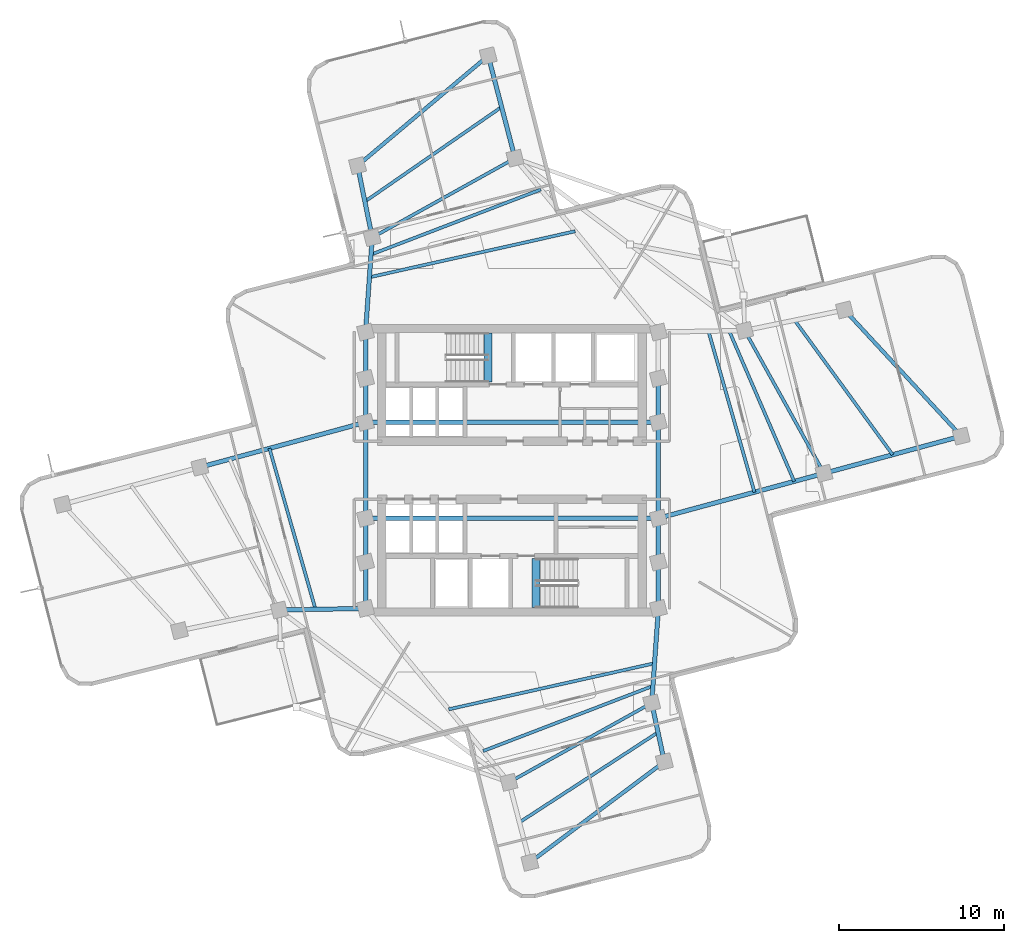
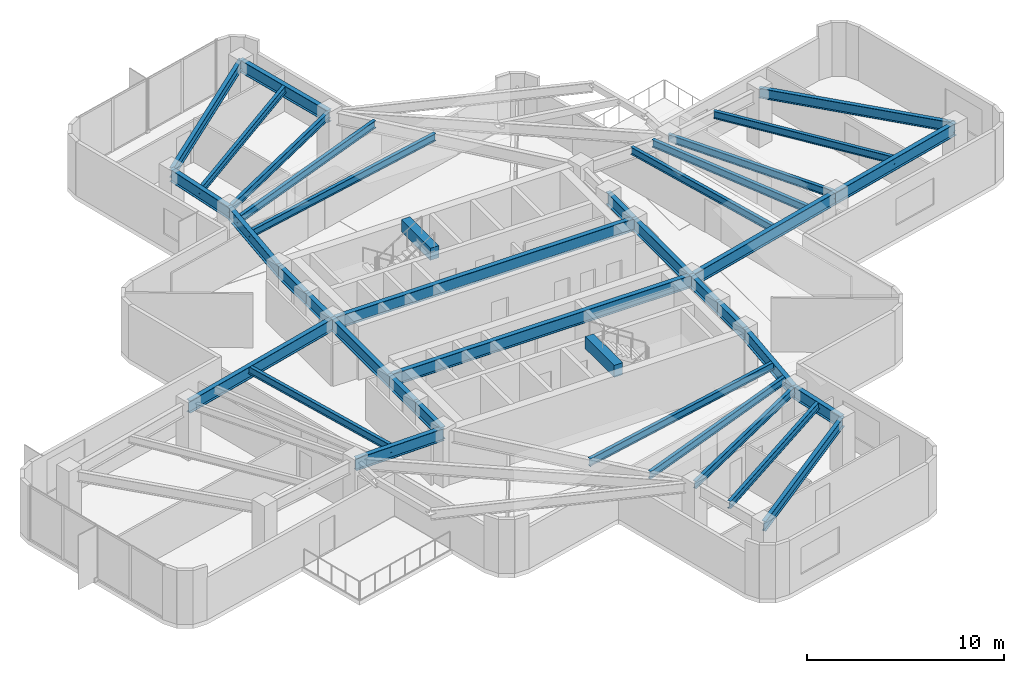
# One storey, part 3 of 11: 38 beams.
"""IFC4 building model written with IfcOpenShell, lengths in metres."""

from ifc_helpers import new_model, si_unit, direction, frame, origin, origin_2d, place, context, subcontext, project, spatial, rectangle, i_section, extrude, material, material_profile, profile_set, type_object, element, save


model = new_model("IFC4")

# Units and contexts
model_context = context("Model", 3, precision=1e-05, world=origin(), true_north=direction((0.0, 1.0)))
body_context = subcontext(model_context, "Body", "Model", "MODEL_VIEW")
ifc_project = project(units=[si_unit("LENGTHUNIT", "METRE"), si_unit("AREAUNIT", "SQUARE_METRE"), si_unit("VOLUMEUNIT", "CUBIC_METRE"), si_unit("PLANEANGLEUNIT", "RADIAN"), si_unit("MASSUNIT", "GRAM", prefix="KILO")], contexts=[model_context])

# Site, building, storey
site_placement = place(None, origin())
site = spatial("IfcSite", under=ifc_project, at=site_placement, CompositionType="ELEMENT")
building_placement = place(site_placement, origin())
building = spatial("IfcBuilding", under=site, at=building_placement, Name="Solmarez Civic Tower", CompositionType="ELEMENT")
storey_placement = place(building_placement, frame((0.0, 0.0, 127.080078125)))
storey = spatial("IfcBuildingStorey", under=building, at=storey_placement, Name="L33", CompositionType="ELEMENT", Elevation=127.080078125)

# Beams
ifc_material_1 = material(Name="Steel S355", Category="steel")
ifc_material_profile_1 = material_profile(ifc_material_1, i_section(OverallWidth=0.19189453125, OverallDepth=0.462890625, WebThickness=0.010498046875, FlangeThickness=0.017578125, at=origin_2d()), Name="W18X60")
ifc_profile_set_1 = profile_set([ifc_material_profile_1], Name="Steel S355")
beam_type_1 = type_object("IfcBeamType", Name="BM-JS-W18X60", PredefinedType="JOIST", material=ifc_profile_set_1)
beam_1_placement = place(storey_placement, frame((18.860107421875, -0.18310546875, 3.10791015625), z_axis=(-0.485852902718, 0.874040592261, 0.0), x_axis=(-0.874040592261, -0.485852902718, 0.0)))
element("IfcBeam", 1, at=beam_1_placement, inside=storey, type_object=beam_type_1, Name="L33 Secondary Floor Joist BM-L33-EA-T1", PredefinedType="JOIST", context=body_context, shape_type="SweptSolid", body=[
    extrude(i_section(OverallWidth=0.19189453125, OverallDepth=0.462890625, WebThickness=0.010498046875, FlangeThickness=0.017578125, at=origin_2d()), origin(), (0.0, 0.0, 1.0), 9.87158203125),
])
beam_2_placement = place(storey_placement, frame((23.006103515625, 0.94091796875, 3.10791015625), z_axis=(-0.589058914091, 0.808090091345, 0.0), x_axis=(-0.808090091345, -0.589058914091, 0.0)))
element("IfcBeam", 2, at=beam_2_placement, inside=storey, type_object=beam_type_1, Name="L33 Secondary Floor Joist JS-L33-EA-M2", PredefinedType="JOIST", context=body_context, shape_type="SweptSolid", body=[
    extrude(i_section(OverallWidth=0.19189453125, OverallDepth=0.462890625, WebThickness=0.010498046875, FlangeThickness=0.017578125, at=origin_2d()), origin(), (0.0, 0.0, 1.0), 10.05859375),
])
beam_3_placement = place(storey_placement, frame((14.656005859375, -1.323974609375, 3.10791015625), z_axis=(-0.27492825036, 0.961464745664, 0.0), x_axis=(-0.961464745664, -0.27492825036, 0.0)))
element("IfcBeam", 3, at=beam_3_placement, inside=storey, type_object=beam_type_1, Name="L33 Secondary Floor Joist JS-L33-EA-M11", PredefinedType="JOIST", context=body_context, shape_type="SweptSolid", body=[
    extrude(i_section(OverallWidth=0.19189453125, OverallDepth=0.462890625, WebThickness=0.010498046875, FlangeThickness=0.017578125, at=origin_2d()), origin(), (0.0, 0.0, 1.0), 10.118896484375),
])
beam_4_placement = place(storey_placement, frame((17.05810546875, -0.672119140625, 3.10791015625), z_axis=(-0.396735074316, 0.917933157048, 0.0), x_axis=(-0.917933157048, -0.396735074316, 0.0)))
element("IfcBeam", 4, at=beam_4_placement, inside=storey, type_object=beam_type_1, Name="L33 Secondary Floor Joist JS-L33-EA-M12", PredefinedType="JOIST", context=body_context, shape_type="SweptSolid", body=[
    extrude(i_section(OverallWidth=0.19189453125, OverallDepth=0.462890625, WebThickness=0.010498046875, FlangeThickness=0.017578125, at=origin_2d()), origin(), (0.0, 0.0, 1.0), 9.91357421875),
])
beam_5_placement = place(storey_placement, frame((0.18310546875, 18.860107421875, 3.10791015625), z_axis=(-0.874040592261, -0.485852902718, 0.0), x_axis=(0.485852902718, -0.874040592261, 0.0)))
element("IfcBeam", 5, at=beam_5_placement, inside=storey, type_object=beam_type_1, Name="L33 Secondary Floor Joist BM-L33-NA-T1", PredefinedType="JOIST", context=body_context, shape_type="SweptSolid", body=[
    extrude(i_section(OverallWidth=0.19189453125, OverallDepth=0.462890625, WebThickness=0.010498046875, FlangeThickness=0.017578125, at=origin_2d()), origin(), (0.0, 0.0, 1.0), 9.87158203125),
])
beam_6_placement = place(storey_placement, frame((-0.626953125, 21.9560546875, 3.10791015625), z_axis=(-0.822185194468, -0.56922008573, 0.0), x_axis=(0.56922008573, -0.822185194468, 0.0)))
element("IfcBeam", 6, at=beam_6_placement, inside=storey, type_object=beam_type_1, Name="L33 Secondary Floor Joist JS-L33-NA-M2", PredefinedType="JOIST", context=body_context, shape_type="SweptSolid", body=[
    extrude(i_section(OverallWidth=0.19189453125, OverallDepth=0.462890625, WebThickness=0.010498046875, FlangeThickness=0.017578125, at=origin_2d()), origin(), (0.0, 0.0, 1.0), 10.048828125),
])
beam_7_placement = place(storey_placement, frame((3.822998046875, 14.446044921875, 3.10791015625), z_axis=(-0.975887310906, -0.218274955988, 0.0), x_axis=(0.218274955988, -0.975887310906, 0.0)))
element("IfcBeam", 7, at=beam_7_placement, inside=storey, type_object=beam_type_1, Name="L33 Secondary Floor Joist JS-L33-NA-M11", PredefinedType="JOIST", context=body_context, shape_type="SweptSolid", body=[
    extrude(i_section(OverallWidth=0.19189453125, OverallDepth=0.462890625, WebThickness=0.010498046875, FlangeThickness=0.017578125, at=origin_2d()), origin(), (0.0, 0.0, 1.0), 12.745361328125),
])
beam_8_placement = place(storey_placement, frame((1.742919921875, 16.968017578125, 3.10791015625), z_axis=(-0.933754408709, -0.357914381125, 0.0), x_axis=(0.357914381125, -0.933754408709, 0.0)))
element("IfcBeam", 8, at=beam_8_placement, inside=storey, type_object=beam_type_1, Name="L33 Secondary Floor Joist JS-L33-NA-M12", PredefinedType="JOIST", context=body_context, shape_type="SweptSolid", body=[
    extrude(i_section(OverallWidth=0.19189453125, OverallDepth=0.462890625, WebThickness=0.010498046875, FlangeThickness=0.017578125, at=origin_2d()), origin(), (0.0, 0.0, 1.0), 10.989013671875),
])
beam_9_placement = place(storey_placement, frame((-14.656005859375, 1.323974609375, 3.10791015625), z_axis=(0.27492825036, -0.961464745664, 0.0), x_axis=(0.961464745664, 0.27492825036, 0.0)))
element("IfcBeam", 9, at=beam_9_placement, inside=storey, type_object=beam_type_1, Name="L33 Secondary Floor Joist JS-L33-WA-M11", PredefinedType="JOIST", context=body_context, shape_type="SweptSolid", body=[
    extrude(i_section(OverallWidth=0.19189453125, OverallDepth=0.462890625, WebThickness=0.010498046875, FlangeThickness=0.017578125, at=origin_2d()), origin(), (0.0, 0.0, 1.0), 10.118896484375),
])
beam_10_placement = place(storey_placement, frame((-0.18310546875, -18.860107421875, 3.10791015625), z_axis=(0.874040592261, 0.485852902718, 0.0), x_axis=(-0.485852902718, 0.874040592261, 0.0)))
element("IfcBeam", 10, at=beam_10_placement, inside=storey, type_object=beam_type_1, Name="L33 Secondary Floor Joist BM-L33-SA-T1", PredefinedType="JOIST", context=body_context, shape_type="SweptSolid", body=[
    extrude(i_section(OverallWidth=0.19189453125, OverallDepth=0.462890625, WebThickness=0.010498046875, FlangeThickness=0.017578125, at=origin_2d()), origin(), (0.0, 0.0, 1.0), 9.87158203125),
])
beam_11_placement = place(storey_placement, frame((0.449951171875, -21.279052734375, 3.10791015625), z_axis=(0.83864684805, 0.54467555871, 0.0), x_axis=(-0.54467555871, 0.83864684805, 0.0)))
element("IfcBeam", 11, at=beam_11_placement, inside=storey, type_object=beam_type_1, Name="L33 Secondary Floor Joist JS-L33-SA-M2", PredefinedType="JOIST", context=body_context, shape_type="SweptSolid", body=[
    extrude(i_section(OverallWidth=0.19189453125, OverallDepth=0.462890625, WebThickness=0.010498046875, FlangeThickness=0.017578125, at=origin_2d()), origin(), (0.0, 0.0, 1.0), 9.987548828125),
])
beam_12_placement = place(storey_placement, frame((-3.822998046875, -14.446044921875, 3.10791015625), z_axis=(0.975887310906, 0.218274955988, 0.0), x_axis=(-0.218274955988, 0.975887310906, 0.0)))
element("IfcBeam", 12, at=beam_12_placement, inside=storey, type_object=beam_type_1, Name="L33 Secondary Floor Joist JS-L33-SA-M11", PredefinedType="JOIST", context=body_context, shape_type="SweptSolid", body=[
    extrude(i_section(OverallWidth=0.19189453125, OverallDepth=0.462890625, WebThickness=0.010498046875, FlangeThickness=0.017578125, at=origin_2d()), origin(), (0.0, 0.0, 1.0), 12.745361328125),
])
beam_13_placement = place(storey_placement, frame((-1.742919921875, -16.968017578125, 3.10791015625), z_axis=(0.933754408709, 0.357914381125, 0.0), x_axis=(-0.357914381125, 0.933754408709, 0.0)))
element("IfcBeam", 13, at=beam_13_placement, inside=storey, type_object=beam_type_1, Name="L33 Secondary Floor Joist JS-L33-SA-M12", PredefinedType="JOIST", context=body_context, shape_type="SweptSolid", body=[
    extrude(i_section(OverallWidth=0.19189453125, OverallDepth=0.462890625, WebThickness=0.010498046875, FlangeThickness=0.017578125, at=origin_2d()), origin(), (0.0, 0.0, 1.0), 10.989013671875),
])
ifc_material_2 = material(Name="Concrete C50/60", Category="concrete")
ifc_material_profile_2 = material_profile(ifc_material_2, rectangle(XDim=0.5, YDim=0.75, at=origin_2d()), Name="RC500X750")
ifc_profile_set_2 = profile_set([ifc_material_profile_2], Name="Concrete C50/60")
beam_type_2 = type_object("IfcBeamType", Name="BM-PR-RC500X750", PredefinedType="BEAM", material=ifc_profile_set_2)
for number, where, z_axis, x_axis, name in (
    (14, (-1.449951171875, 5.340087890625, 3.23291015625), (0.0, 1.0, 0.0), (-1.0, 0.0, 0.0), "L33 North Stair Threshold Beam"),
    (15, (1.449951171875, -8.300048828125, 3.23291015625), (0.0, 1.0, 0.0), (-1.0, 0.0, 0.0), "L33 South Stair Threshold Beam"),
):
    element("IfcBeam", number, at=place(storey_placement, frame(where, z_axis=z_axis, x_axis=x_axis)), inside=storey, type_object=beam_type_2, Name=name, PredefinedType="BEAM", context=body_context, shape_type="SweptSolid", body=[
        extrude(rectangle(XDim=0.5, YDim=0.75, at=origin_2d()), origin(), (0.0, 0.0, 1.0), 2.9599609375),
    ])
ifc_material_profile_3 = material_profile(ifc_material_1, i_section(OverallWidth=0.26708984375, OverallDepth=0.761962890625, WebThickness=0.014404296875, FlangeThickness=0.021484375, at=origin_2d()), Name="W30X116")
ifc_profile_set_3 = profile_set([ifc_material_profile_3], Name="Steel S355")
beam_type_3 = type_object("IfcBeamType", Name="BM-PR-W30X116", PredefinedType="BEAM", material=ifc_profile_set_3)
beam_14_placement = place(storey_placement, frame((-8.85009765625, -8.35009765625, 2.958984375), z_axis=(0.0, 1.0, 0.0), x_axis=(-1.0, 0.0, 0.0)))
element("IfcBeam", 16, at=beam_14_placement, inside=storey, type_object=beam_type_3, Name="L33 Primary Floor Beam BM-L33-HC12-HC1", PredefinedType="BEAM", context=body_context, shape_type="SweptSolid", body=[
    extrude(i_section(OverallWidth=0.26708984375, OverallDepth=0.761962890625, WebThickness=0.014404296875, FlangeThickness=0.021484375, at=origin_2d()), origin(), (0.0, 0.0, 1.0), 2.800048828125),
])
beam_15_placement = place(storey_placement, frame((-8.85009765625, -5.550048828125, 2.958984375), z_axis=(0.0, 1.0, 0.0), x_axis=(-1.0, 0.0, 0.0)))
element("IfcBeam", 17, at=beam_15_placement, inside=storey, type_object=beam_type_3, Name="L33 Primary Floor Beam BM-L33-HC1-HC2", PredefinedType="BEAM", context=body_context, shape_type="SweptSolid", body=[
    extrude(i_section(OverallWidth=0.26708984375, OverallDepth=0.761962890625, WebThickness=0.014404296875, FlangeThickness=0.021484375, at=origin_2d()), origin(), (0.0, 0.0, 1.0), 2.650146484375),
])
beam_16_placement = place(storey_placement, frame((-8.85009765625, -2.89990234375, 2.958984375), z_axis=(0.0, 1.0, 0.0), x_axis=(-1.0, 0.0, 0.0)))
element("IfcBeam", 18, at=beam_16_placement, inside=storey, type_object=beam_type_3, Name="L33 Primary Floor Beam BM-L33-HC2-HC3", PredefinedType="BEAM", context=body_context, shape_type="SweptSolid", body=[
    extrude(i_section(OverallWidth=0.26708984375, OverallDepth=0.761962890625, WebThickness=0.014404296875, FlangeThickness=0.021484375, at=origin_2d()), origin(), (0.0, 0.0, 1.0), 5.7998046875),
])
beam_17_placement = place(storey_placement, frame((-8.85009765625, 2.89990234375, 2.958984375), z_axis=(0.0, 1.0, 0.0), x_axis=(-1.0, 0.0, 0.0)))
element("IfcBeam", 19, at=beam_17_placement, inside=storey, type_object=beam_type_3, Name="L33 Primary Floor Beam BM-L33-HC3-HC4", PredefinedType="BEAM", context=body_context, shape_type="SweptSolid", body=[
    extrude(i_section(OverallWidth=0.26708984375, OverallDepth=0.761962890625, WebThickness=0.014404296875, FlangeThickness=0.021484375, at=origin_2d()), origin(), (0.0, 0.0, 1.0), 2.650146484375),
])
for number, where, z_axis, x_axis, name in (
    (20, (-8.85009765625, 5.550048828125, 2.958984375), (0.0, 1.0, 0.0), (-1.0, 0.0, 0.0), "L33 Primary Floor Beam BM-L33-HC4-HC9"),
    (21, (8.85009765625, -8.35009765625, 2.958984375), (0.0, 1.0, 0.0), (-1.0, 0.0, 0.0), "L33 Primary Floor Beam BM-L33-HC10-HC5"),
):
    element("IfcBeam", number, at=place(storey_placement, frame(where, z_axis=z_axis, x_axis=x_axis)), inside=storey, type_object=beam_type_3, Name=name, PredefinedType="BEAM", context=body_context, shape_type="SweptSolid", body=[
        extrude(i_section(OverallWidth=0.26708984375, OverallDepth=0.761962890625, WebThickness=0.014404296875, FlangeThickness=0.021484375, at=origin_2d()), origin(), (0.0, 0.0, 1.0), 2.800048828125),
    ])
beam_18_placement = place(storey_placement, frame((8.85009765625, -5.550048828125, 2.958984375), z_axis=(0.0, 1.0, 0.0), x_axis=(-1.0, 0.0, 0.0)))
element("IfcBeam", 22, at=beam_18_placement, inside=storey, type_object=beam_type_3, Name="L33 Primary Floor Beam BM-L33-HC5-HC6", PredefinedType="BEAM", context=body_context, shape_type="SweptSolid", body=[
    extrude(i_section(OverallWidth=0.26708984375, OverallDepth=0.761962890625, WebThickness=0.014404296875, FlangeThickness=0.021484375, at=origin_2d()), origin(), (0.0, 0.0, 1.0), 2.650146484375),
])
beam_19_placement = place(storey_placement, frame((8.85009765625, -2.89990234375, 2.958984375), z_axis=(0.0, 1.0, 0.0), x_axis=(-1.0, 0.0, 0.0)))
element("IfcBeam", 23, at=beam_19_placement, inside=storey, type_object=beam_type_3, Name="L33 Primary Floor Beam BM-L33-HC6-HC7", PredefinedType="BEAM", context=body_context, shape_type="SweptSolid", body=[
    extrude(i_section(OverallWidth=0.26708984375, OverallDepth=0.761962890625, WebThickness=0.014404296875, FlangeThickness=0.021484375, at=origin_2d()), origin(), (0.0, 0.0, 1.0), 5.7998046875),
])
beam_20_placement = place(storey_placement, frame((8.85009765625, 2.89990234375, 2.958984375), z_axis=(0.0, 1.0, 0.0), x_axis=(-1.0, 0.0, 0.0)))
element("IfcBeam", 24, at=beam_20_placement, inside=storey, type_object=beam_type_3, Name="L33 Primary Floor Beam BM-L33-HC7-HC8", PredefinedType="BEAM", context=body_context, shape_type="SweptSolid", body=[
    extrude(i_section(OverallWidth=0.26708984375, OverallDepth=0.761962890625, WebThickness=0.014404296875, FlangeThickness=0.021484375, at=origin_2d()), origin(), (0.0, 0.0, 1.0), 2.650146484375),
])
for number, where, z_axis, x_axis, name in (
    (25, (-8.85009765625, -2.89990234375, 2.958984375), (1.0, 0.0, 0.0), (0.0, 1.0, 0.0), "L33 Primary Floor Beam BM-L33-HC2-HC6"),
    (26, (-8.85009765625, 2.89990234375, 2.958984375), (1.0, 0.0, 0.0), (0.0, 1.0, 0.0), "L33 Primary Floor Beam BM-L33-HC3-HC7"),
):
    element("IfcBeam", number, at=place(storey_placement, frame(where, z_axis=z_axis, x_axis=x_axis)), inside=storey, type_object=beam_type_3, Name=name, PredefinedType="BEAM", context=body_context, shape_type="SweptSolid", body=[
        extrude(i_section(OverallWidth=0.26708984375, OverallDepth=0.761962890625, WebThickness=0.014404296875, FlangeThickness=0.021484375, at=origin_2d()), origin(), (0.0, 0.0, 1.0), 17.7001953125),
    ])
beam_21_placement = place(storey_placement, frame((8.85009765625, -2.89990234375, 2.958984375), z_axis=(0.965086289853, 0.261932153691, 0.0), x_axis=(-0.261932153691, 0.965086289853, 0.0)))
element("IfcBeam", 27, at=beam_21_placement, inside=storey, type_object=beam_type_3, Name="L33 Primary Floor Beam BM-L33-EA-R1A", PredefinedType="BEAM", context=body_context, shape_type="SweptSolid", body=[
    extrude(i_section(OverallWidth=0.26708984375, OverallDepth=0.761962890625, WebThickness=0.014404296875, FlangeThickness=0.021484375, at=origin_2d()), origin(), (0.0, 0.0, 1.0), 10.3720703125),
])
beam_22_placement = place(storey_placement, frame((18.860107421875, -0.18310546875, 2.958984375), z_axis=(0.965195296066, 0.261530190326, 0.0), x_axis=(-0.261530190326, 0.965195296066, 0.0)))
element("IfcBeam", 28, at=beam_22_placement, inside=storey, type_object=beam_type_3, Name="L33 Primary Floor Beam BM-L33-EA-R2A", PredefinedType="BEAM", context=body_context, shape_type="SweptSolid", body=[
    extrude(i_section(OverallWidth=0.26708984375, OverallDepth=0.761962890625, WebThickness=0.014404296875, FlangeThickness=0.021484375, at=origin_2d()), origin(), (0.0, 0.0, 1.0), 8.592041015625),
])
beam_23_placement = place(storey_placement, frame((-8.85009765625, 8.35009765625, 2.958984375), z_axis=(0.070707897353, 0.997497064282, 0.0), x_axis=(-0.997497064282, 0.070707897353, 0.0)))
element("IfcBeam", 29, at=beam_23_placement, inside=storey, type_object=beam_type_3, Name="L33 Primary Floor Beam BM-L33-NA-R1B", PredefinedType="BEAM", context=body_context, shape_type="SweptSolid", body=[
    extrude(i_section(OverallWidth=0.26708984375, OverallDepth=0.761962890625, WebThickness=0.014404296875, FlangeThickness=0.021484375, at=origin_2d()), origin(), (0.0, 0.0, 1.0), 5.728271484375),
])
beam_24_placement = place(storey_placement, frame((0.18310546875, 18.860107421875, 2.958984375), z_axis=(-0.25312990791, 0.967432297229, 0.0), x_axis=(-0.967432297229, -0.25312990791, 0.0)))
element("IfcBeam", 30, at=beam_24_placement, inside=storey, type_object=beam_type_3, Name="L33 Primary Floor Beam BM-L33-NA-R2A", PredefinedType="BEAM", context=body_context, shape_type="SweptSolid", body=[
    extrude(i_section(OverallWidth=0.26708984375, OverallDepth=0.761962890625, WebThickness=0.014404296875, FlangeThickness=0.021484375, at=origin_2d()), origin(), (0.0, 0.0, 1.0), 6.400390625),
])
beam_25_placement = place(storey_placement, frame((-8.445068359375, 14.06396484375, 2.958984375), z_axis=(-0.200222099018, 0.979750535118, 0.0), x_axis=(-0.979750535118, -0.200222099018, 0.0)))
element("IfcBeam", 31, at=beam_25_placement, inside=storey, type_object=beam_type_3, Name="L33 Primary Floor Beam BM-L33-NA-R2B", PredefinedType="BEAM", context=body_context, shape_type="SweptSolid", body=[
    extrude(i_section(OverallWidth=0.26708984375, OverallDepth=0.761962890625, WebThickness=0.014404296875, FlangeThickness=0.021484375, at=origin_2d()), origin(), (0.0, 0.0, 1.0), 4.434814453125),
])
beam_26_placement = place(storey_placement, frame((-8.85009765625, 2.89990234375, 2.958984375), z_axis=(-0.965086289853, -0.261932153691, 0.0), x_axis=(0.261932153691, -0.965086289853, 0.0)))
element("IfcBeam", 32, at=beam_26_placement, inside=storey, type_object=beam_type_3, Name="L33 Primary Floor Beam BM-L33-WA-R1A", PredefinedType="BEAM", context=body_context, shape_type="SweptSolid", body=[
    extrude(i_section(OverallWidth=0.26708984375, OverallDepth=0.761962890625, WebThickness=0.014404296875, FlangeThickness=0.021484375, at=origin_2d()), origin(), (0.0, 0.0, 1.0), 10.3720703125),
])
beam_27_placement = place(storey_placement, frame((-8.85009765625, -8.35009765625, 2.958984375), z_axis=(-0.999834147765, -0.018212000538, 0.0), x_axis=(0.018212000538, -0.999834147765, 0.0)))
element("IfcBeam", 33, at=beam_27_placement, inside=storey, type_object=beam_type_3, Name="L33 Primary Floor Beam BM-L33-WA-R1B", PredefinedType="BEAM", context=body_context, shape_type="SweptSolid", body=[
    extrude(i_section(OverallWidth=0.26708984375, OverallDepth=0.761962890625, WebThickness=0.014404296875, FlangeThickness=0.021484375, at=origin_2d()), origin(), (0.0, 0.0, 1.0), 5.21484375),
])
beam_28_placement = place(storey_placement, frame((8.85009765625, -8.35009765625, 2.958984375), z_axis=(-0.070707897353, -0.997497064282, 0.0), x_axis=(0.997497064282, -0.070707897353, 0.0)))
element("IfcBeam", 34, at=beam_28_placement, inside=storey, type_object=beam_type_3, Name="L33 Primary Floor Beam BM-L33-SA-R1B", PredefinedType="BEAM", context=body_context, shape_type="SweptSolid", body=[
    extrude(i_section(OverallWidth=0.26708984375, OverallDepth=0.761962890625, WebThickness=0.014404296875, FlangeThickness=0.021484375, at=origin_2d()), origin(), (0.0, 0.0, 1.0), 5.728271484375),
])
beam_29_placement = place(storey_placement, frame((8.445068359375, -14.06396484375, 2.958984375), z_axis=(0.210056967216, -0.977689148208, 0.0), x_axis=(0.977689148208, 0.210056967216, 0.0)))
element("IfcBeam", 35, at=beam_29_placement, inside=storey, type_object=beam_type_3, Name="L33 Primary Floor Beam BM-L33-SA-R2B", PredefinedType="BEAM", context=body_context, shape_type="SweptSolid", body=[
    extrude(i_section(OverallWidth=0.26708984375, OverallDepth=0.761962890625, WebThickness=0.014404296875, FlangeThickness=0.021484375, at=origin_2d()), origin(), (0.0, 0.0, 1.0), 3.632080078125),
])
ifc_material_profile_4 = material_profile(ifc_material_1, i_section(OverallWidth=0.22900390625, OverallDepth=0.612060546875, WebThickness=0.011962890625, FlangeThickness=0.01953125, at=origin_2d()), Name="W24X84")
ifc_profile_set_4 = profile_set([ifc_material_profile_4], Name="Steel S355")
beam_type_4 = type_object("IfcBeamType", Name="BM-SP-W24X84", PredefinedType="SPANDREL", material=ifc_profile_set_4)
beam_30_placement = place(storey_placement, frame((27.153076171875, 2.06396484375, 3.033935546875), z_axis=(-0.679007792344, 0.734131063187, 0.0), x_axis=(-0.734131063187, -0.679007792344, 0.0)))
element("IfcBeam", 36, at=beam_30_placement, inside=storey, type_object=beam_type_4, Name="L33 Perimeter Spandrel Beam BM-L33-EA-T2", PredefinedType="SPANDREL", context=body_context, shape_type="SweptSolid", body=[
    extrude(i_section(OverallWidth=0.22900390625, OverallDepth=0.612060546875, WebThickness=0.011962890625, FlangeThickness=0.01953125, at=origin_2d()), origin(), (0.0, 0.0, 1.0), 10.390380859375),
])
beam_31_placement = place(storey_placement, frame((-1.43701171875, 25.052001953125, 3.033935546875), z_axis=(-0.765206846446, -0.643784499777, 0.0), x_axis=(0.643784499777, -0.765206846446, 0.0)))
element("IfcBeam", 37, at=beam_31_placement, inside=storey, type_object=beam_type_4, Name="L33 Perimeter Spandrel Beam BM-L33-NA-T2", PredefinedType="SPANDREL", context=body_context, shape_type="SweptSolid", body=[
    extrude(i_section(OverallWidth=0.22900390625, OverallDepth=0.612060546875, WebThickness=0.011962890625, FlangeThickness=0.01953125, at=origin_2d()), origin(), (0.0, 0.0, 1.0), 10.31884765625),
])
beam_32_placement = place(storey_placement, frame((1.0830078125, -23.697021484375, 3.033935546875), z_axis=(0.800553888314, 0.599260771205, 0.0), x_axis=(-0.599260771205, 0.800553888314, 0.0)))
element("IfcBeam", 38, at=beam_32_placement, inside=storey, type_object=beam_type_4, Name="L33 Perimeter Spandrel Beam BM-L33-SA-T2", PredefinedType="SPANDREL", context=body_context, shape_type="SweptSolid", body=[
    extrude(i_section(OverallWidth=0.22900390625, OverallDepth=0.612060546875, WebThickness=0.011962890625, FlangeThickness=0.01953125, at=origin_2d()), origin(), (0.0, 0.0, 1.0), 10.149169921875),
])

save(model, "model.ifc")
